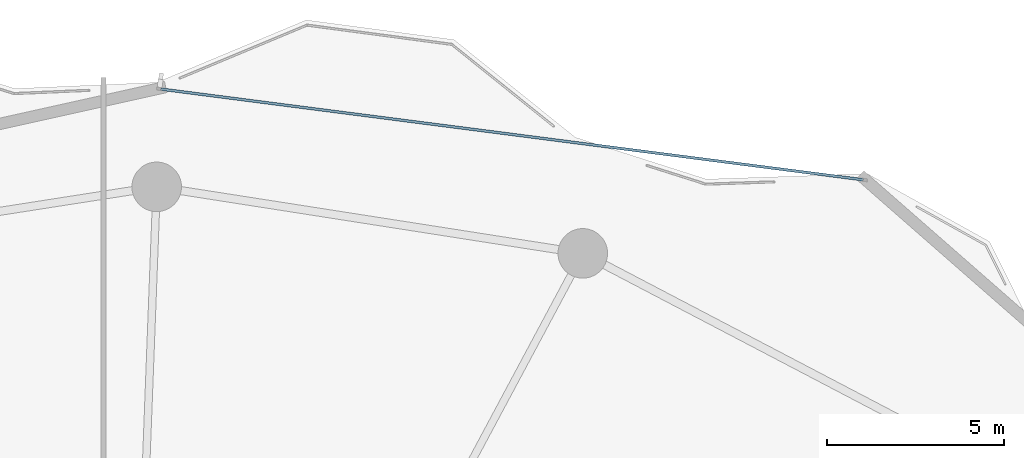
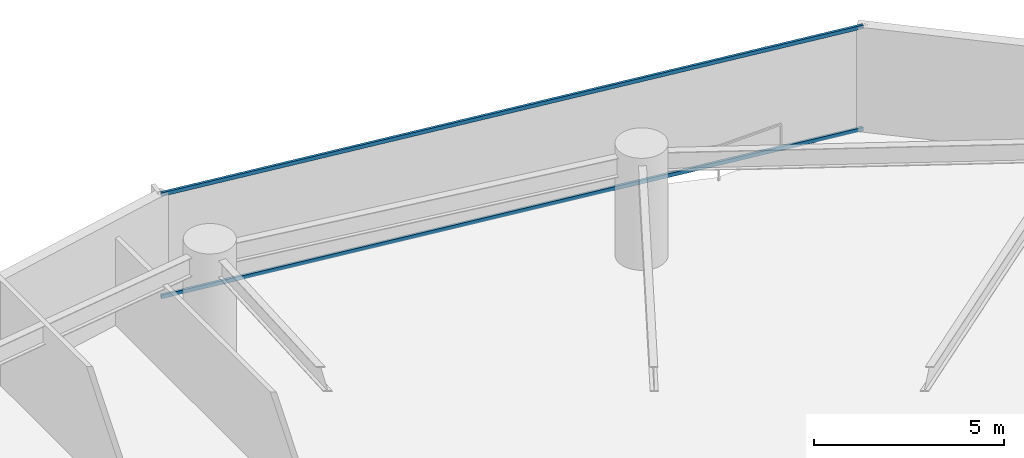
# One storey, part 21 of 32: 2 members, 1 element without a shape of its own.
"""IFC4 building model written with IfcOpenShell, lengths in metres."""

from ifc_helpers import new_model, si_unit, direction, frame, origin, origin_2d, place, context, subcontext, project, spatial, hollow_rectangle, extrude, material, layer, layer_set, material_profile, profile_set, type_object, element, aggregate, save


model = new_model("IFC4")

# Units and contexts
model_context = context("Model", 3, precision=1e-05, world=origin(), true_north=direction((0.0, 1.0)))
body_context = subcontext(model_context, "Body", "Model", "MODEL_VIEW")
ifc_project = project(units=[si_unit("LENGTHUNIT", "METRE"), si_unit("AREAUNIT", "SQUARE_METRE"), si_unit("VOLUMEUNIT", "CUBIC_METRE"), si_unit("PLANEANGLEUNIT", "RADIAN"), si_unit("MASSUNIT", "GRAM", prefix="KILO")], contexts=[model_context])

# Site, building, storey
site_placement = place(None, origin())
site = spatial("IfcSite", under=ifc_project, at=site_placement, CompositionType="ELEMENT")
building_placement = place(site_placement, origin())
building = spatial("IfcBuilding", under=site, at=building_placement, Name="Kazevale Care Tower and Concert Hall", CompositionType="ELEMENT")
storey_placement = place(building_placement, frame((0.0, 0.0, 42.0)))
storey = spatial("IfcBuildingStorey", under=building, at=storey_placement, Name="L10", CompositionType="ELEMENT", Elevation=42.0)

# Curtain wall, members
ifc_material_1 = material(Name="Aluminium 6063-T6 and Low-E Glass", Category="aluminium")
ifc_layer = layer(ifc_material_1, 0.179931640625)
ifc_layer_set = layer_set([ifc_layer], Name="Aluminium 6063-T6 and Low-E Glass")
curtain_wall_type = type_object("IfcCurtainWallType", Name="Convex Recessed Sunroom Curtain Wall CW-3", PredefinedType="NOTDEFINED", material=ifc_layer_set)
curtain_wall_placement = place(storey_placement, origin())
curtain_wall = element("IfcCurtainWall", 1, at=curtain_wall_placement, inside=storey, type_object=curtain_wall_type, Name="cw:L10:f16", PredefinedType="NOTDEFINED")
ifc_material_2 = material(Name="Aluminium 6063-T6", Category="aluminium")
ifc_material_profile = material_profile(ifc_material_2, hollow_rectangle(XDim=0.074951171875, YDim=0.1201171875, WallThickness=0.00390625, at=origin_2d()), Name="ALU75x120x4")
ifc_profile_set = profile_set([ifc_material_profile], Name="Aluminium 6063-T6")
member_type = type_object("IfcMemberType", Name="CW-3 Transom ALU75x120x4", PredefinedType="USERDEFINED", material=ifc_profile_set)
member_1_placement = place(storey_placement, frame((45.114501953125, 65.412353515625, 0.03759765625), z_axis=(0.991763328336, -0.128083959056, 0.0), x_axis=(0.128083959056, 0.991763328336, 0.0)))
member_1 = element("IfcMember", 2, at=member_1_placement, type_object=member_type, Name="CW-3 transom 1.1", ObjectType="TRANSOM", PredefinedType="USERDEFINED", context=body_context, shape_type="SweptSolid", body=[
    extrude(hollow_rectangle(XDim=0.074951171875, YDim=0.1201171875, WallThickness=0.00390625, at=origin_2d()), origin(), (0.0, 0.0, 1.0), 20.015869140625),
])
member_2_placement = place(storey_placement, frame((45.114501953125, 65.412353515625, 3.322509765625), z_axis=(0.991763328336, -0.128083959056, 0.0), x_axis=(0.128083959056, 0.991763328336, 0.0)))
member_2 = element("IfcMember", 3, at=member_2_placement, type_object=member_type, Name="CW-3 transom 1.2", ObjectType="TRANSOM", PredefinedType="USERDEFINED", context=body_context, shape_type="SweptSolid", body=[
    extrude(hollow_rectangle(XDim=0.074951171875, YDim=0.1201171875, WallThickness=0.00390625, at=origin_2d()), origin(), (0.0, 0.0, 1.0), 20.015869140625),
])
aggregate(curtain_wall, [member_1, member_2])

save(model, "model.ifc")
